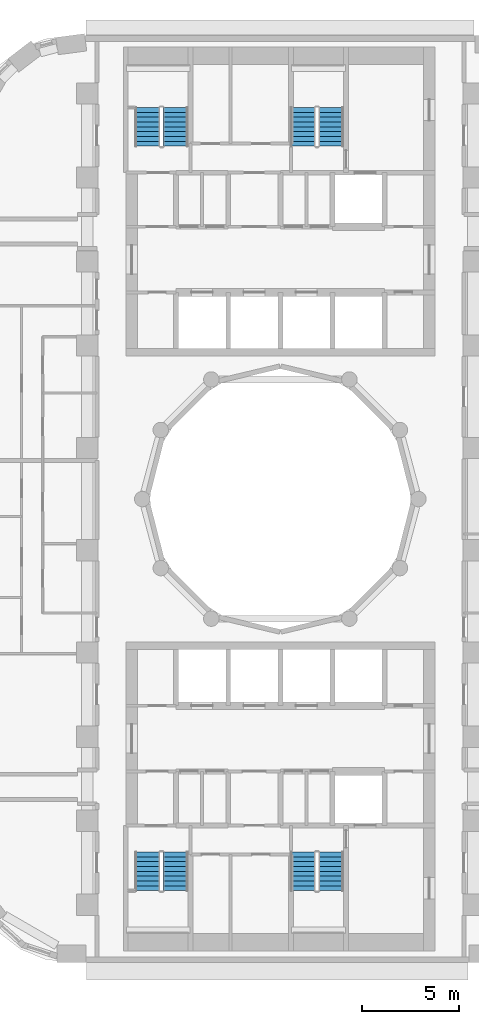
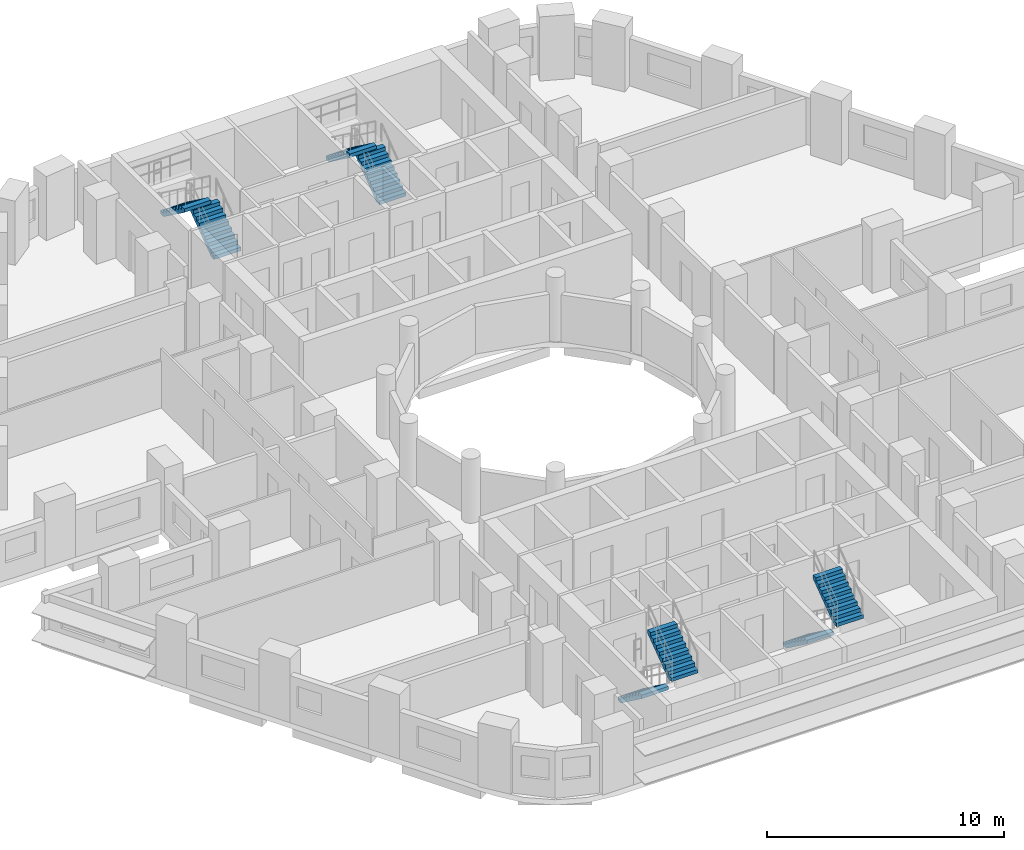
# One storey, part 9 of 12: 8 stair flights, 4 elements without a shape of their own.
"""IFC4 building model written with IfcOpenShell, lengths in metres."""

from ifc_helpers import new_model, si_unit, direction, frame, origin, place, context, subcontext, project, spatial, polyline, outline, extrude, material, type_object, element, aggregate, save


model = new_model("IFC4")

# Units and contexts
model_context = context("Model", 3, precision=1e-05, world=origin(), true_north=direction((0.0, 1.0)))
body_context = subcontext(model_context, "Body", "Model", "MODEL_VIEW")
ifc_project = project(units=[si_unit("LENGTHUNIT", "METRE"), si_unit("AREAUNIT", "SQUARE_METRE"), si_unit("VOLUMEUNIT", "CUBIC_METRE"), si_unit("PLANEANGLEUNIT", "RADIAN"), si_unit("MASSUNIT", "GRAM", prefix="KILO")], contexts=[model_context])

# Site, building, storey
site_placement = place(None, origin())
site = spatial("IfcSite", under=ifc_project, at=site_placement, CompositionType="ELEMENT")
building_placement = place(site_placement, origin())
building = spatial("IfcBuilding", under=site, at=building_placement, Name="Nakaniwa Court", CompositionType="ELEMENT")
storey_placement = place(building_placement, frame((0.0, 0.0, 57.89990234375)))
storey = spatial("IfcBuildingStorey", under=building, at=storey_placement, Name="L15", CompositionType="ELEMENT", Elevation=57.89990234375)

# Stair, stair flights
ifc_material = material(Name="Concrete C80/100", Category="concrete")
stair_type = type_object("IfcStairType", Name="Dog leg stair 1300 wide 18 risers", PredefinedType="HALF_TURN_STAIR", material=ifc_material)
stair_1_placement = place(storey_placement, origin())
stair_1 = element("IfcStair", 1, at=stair_1_placement, inside=storey, type_object=stair_type, Name="L15 Stair ST1", PredefinedType="HALF_TURN_STAIR")
stair_flight_type = type_object("IfcStairFlightType", Name="Stair flight 1300 wide 9 risers", PredefinedType="STRAIGHT", material=ifc_material)
stair_flight_1_placement = place(storey_placement, frame((74.574951171875, 98.27490234375, 0.0), z_axis=(0.0, 0.0, 1.0), x_axis=(0.0, 1.0, 0.0)))
stair_flight_1 = element("IfcStairFlight", 2, at=stair_flight_1_placement, type_object=stair_flight_type, Name="ST1 flight 1", NumberOfRisers=9, NumberOfTreads=8, PredefinedType="STRAIGHT", RiserHeight=0.183333333, TreadLength=0.25, context=body_context, shape_type="SweptSolid", body=[
    extrude(outline(polyline([(0.0, 0.0), (0.0, 0.026123046875), (0.0, 0.052490234375), (0.0, 0.07861328125), (0.0, 0.104736328125), (0.0, 0.130859375), (0.0, 0.1572265625), (0.0, 0.183349609375), (0.25, 0.183349609375), (0.25, 0.36669921875), (0.5, 0.36669921875), (0.5, 0.550048828125), (0.75, 0.550048828125), (0.75, 0.7333984375), (1.0, 0.7333984375), (1.0, 0.916748046875), (1.25, 0.916748046875), (1.25, 1.10009765625), (1.5, 1.10009765625), (1.5, 1.283447265625), (1.75, 1.283447265625), (1.75, 1.466552734375), (2.0, 1.466552734375), (2.0, 1.64990234375), (2.0, 1.59716796875), (2.0, 1.54443359375), (2.0, 1.49169921875), (2.0, 1.43896484375), (2.0, 1.38623046875), (2.0, 1.33349609375), (2.0, 1.28076171875), (0.25341796875, 0.0), (0.0, 0.0)])), frame((0.0, 0.64990234375, 0.0), z_axis=(0.0, -1.0, 0.0), x_axis=(1.0, 0.0, 0.0)), (0.0, 0.0, 1.0), 1.300048828125),
])
stair_flight_2_placement = place(storey_placement, frame((73.125, 100.27490234375, 1.650146484375), z_axis=(0.0, 0.0, 1.0), x_axis=(0.0, -1.0, 0.0)))
stair_flight_2 = element("IfcStairFlight", 3, at=stair_flight_2_placement, type_object=stair_flight_type, Name="ST1 flight 2", NumberOfRisers=9, NumberOfTreads=8, PredefinedType="STRAIGHT", RiserHeight=0.183333333, TreadLength=0.25, context=body_context, shape_type="SweptSolid", body=[
    extrude(outline(polyline([(0.0, 0.0), (0.0, 0.026123046875), (0.0, 0.052490234375), (0.0, 0.07861328125), (0.0, 0.104736328125), (0.0, 0.130859375), (0.0, 0.1572265625), (0.0, 0.183349609375), (0.25, 0.183349609375), (0.25, 0.36669921875), (0.5, 0.36669921875), (0.5, 0.550048828125), (0.75, 0.550048828125), (0.75, 0.7333984375), (1.0, 0.7333984375), (1.0, 0.916748046875), (1.25, 0.916748046875), (1.25, 1.10009765625), (1.5, 1.10009765625), (1.5, 1.283447265625), (1.75, 1.283447265625), (1.75, 1.466552734375), (2.0, 1.466552734375), (2.0, 1.64990234375), (2.0, 1.59716796875), (2.0, 1.54443359375), (2.0, 1.49169921875), (2.0, 1.43896484375), (2.0, 1.38623046875), (2.0, 1.33349609375), (2.0, 1.28076171875), (0.25341796875, 0.0), (0.0, 0.0)])), frame((0.0, 0.64990234375, 0.0), z_axis=(0.0, -1.0, 0.0), x_axis=(1.0, 0.0, 0.0)), (0.0, 0.0, 1.0), 1.300048828125),
])
aggregate(stair_1, [stair_flight_1, stair_flight_2])

stair_2_placement = place(storey_placement, origin())
stair_2 = element("IfcStair", 4, at=stair_2_placement, inside=storey, type_object=stair_type, Name="L15 Stair ST2", PredefinedType="HALF_TURN_STAIR")
stair_flight_3_placement = place(storey_placement, frame((82.625, 98.27490234375, 0.0), z_axis=(0.0, 0.0, 1.0), x_axis=(0.0, 1.0, 0.0)))
stair_flight_3 = element("IfcStairFlight", 5, at=stair_flight_3_placement, type_object=stair_flight_type, Name="ST2 flight 1", NumberOfRisers=9, NumberOfTreads=8, PredefinedType="STRAIGHT", RiserHeight=0.183333333, TreadLength=0.25, context=body_context, shape_type="SweptSolid", body=[
    extrude(outline(polyline([(0.0, 0.0), (0.0, 0.026123046875), (0.0, 0.052490234375), (0.0, 0.07861328125), (0.0, 0.104736328125), (0.0, 0.130859375), (0.0, 0.1572265625), (0.0, 0.183349609375), (0.25, 0.183349609375), (0.25, 0.36669921875), (0.5, 0.36669921875), (0.5, 0.550048828125), (0.75, 0.550048828125), (0.75, 0.7333984375), (1.0, 0.7333984375), (1.0, 0.916748046875), (1.25, 0.916748046875), (1.25, 1.10009765625), (1.5, 1.10009765625), (1.5, 1.283447265625), (1.75, 1.283447265625), (1.75, 1.466552734375), (2.0, 1.466552734375), (2.0, 1.64990234375), (2.0, 1.59716796875), (2.0, 1.54443359375), (2.0, 1.49169921875), (2.0, 1.43896484375), (2.0, 1.38623046875), (2.0, 1.33349609375), (2.0, 1.28076171875), (0.25341796875, 0.0), (0.0, 0.0)])), frame((0.0, 0.64990234375, 0.0), z_axis=(0.0, -1.0, 0.0), x_axis=(1.0, 0.0, 0.0)), (0.0, 0.0, 1.0), 1.300048828125),
])
stair_flight_4_placement = place(storey_placement, frame((81.175048828125, 100.27490234375, 1.650146484375), z_axis=(0.0, 0.0, 1.0), x_axis=(0.0, -1.0, 0.0)))
stair_flight_4 = element("IfcStairFlight", 6, at=stair_flight_4_placement, type_object=stair_flight_type, Name="ST2 flight 2", NumberOfRisers=9, NumberOfTreads=8, PredefinedType="STRAIGHT", RiserHeight=0.183333333, TreadLength=0.25, context=body_context, shape_type="SweptSolid", body=[
    extrude(outline(polyline([(0.0, 0.0), (0.0, 0.026123046875), (0.0, 0.052490234375), (0.0, 0.07861328125), (0.0, 0.104736328125), (0.0, 0.130859375), (0.0, 0.1572265625), (0.0, 0.183349609375), (0.25, 0.183349609375), (0.25, 0.36669921875), (0.5, 0.36669921875), (0.5, 0.550048828125), (0.75, 0.550048828125), (0.75, 0.7333984375), (1.0, 0.7333984375), (1.0, 0.916748046875), (1.25, 0.916748046875), (1.25, 1.10009765625), (1.5, 1.10009765625), (1.5, 1.283447265625), (1.75, 1.283447265625), (1.75, 1.466552734375), (2.0, 1.466552734375), (2.0, 1.64990234375), (2.0, 1.59716796875), (2.0, 1.54443359375), (2.0, 1.49169921875), (2.0, 1.43896484375), (2.0, 1.38623046875), (2.0, 1.33349609375), (2.0, 1.28076171875), (0.25341796875, 0.0), (0.0, 0.0)])), frame((0.0, 0.64990234375, 0.0), z_axis=(0.0, -1.0, 0.0), x_axis=(1.0, 0.0, 0.0)), (0.0, 0.0, 1.0), 1.300048828125),
])
aggregate(stair_2, [stair_flight_3, stair_flight_4])

stair_3_placement = place(storey_placement, origin())
stair_3 = element("IfcStair", 7, at=stair_3_placement, inside=storey, type_object=stair_type, Name="L15 Stair ST3", PredefinedType="HALF_TURN_STAIR")
stair_flight_5_placement = place(storey_placement, frame((73.125, 61.72509765625, 0.0), z_axis=(0.0, 0.0, 1.0), x_axis=(0.0, -1.0, 0.0)))
stair_flight_5 = element("IfcStairFlight", 8, at=stair_flight_5_placement, type_object=stair_flight_type, Name="ST3 flight 1", NumberOfRisers=9, NumberOfTreads=8, PredefinedType="STRAIGHT", RiserHeight=0.183333333, TreadLength=0.25, context=body_context, shape_type="SweptSolid", body=[
    extrude(outline(polyline([(0.0, 0.0), (0.0, 0.026123046875), (0.0, 0.052490234375), (0.0, 0.07861328125), (0.0, 0.104736328125), (0.0, 0.130859375), (0.0, 0.1572265625), (0.0, 0.183349609375), (0.25, 0.183349609375), (0.25, 0.36669921875), (0.5, 0.36669921875), (0.5, 0.550048828125), (0.75, 0.550048828125), (0.75, 0.7333984375), (1.0, 0.7333984375), (1.0, 0.916748046875), (1.25, 0.916748046875), (1.25, 1.10009765625), (1.5, 1.10009765625), (1.5, 1.283447265625), (1.75, 1.283447265625), (1.75, 1.466552734375), (2.0, 1.466552734375), (2.0, 1.64990234375), (2.0, 1.59716796875), (2.0, 1.54443359375), (2.0, 1.49169921875), (2.0, 1.43896484375), (2.0, 1.38623046875), (2.0, 1.33349609375), (2.0, 1.28076171875), (0.25341796875, 0.0), (0.0, 0.0)])), frame((0.0, 0.64990234375, 0.0), z_axis=(0.0, -1.0, 0.0), x_axis=(1.0, 0.0, 0.0)), (0.0, 0.0, 1.0), 1.300048828125),
])
stair_flight_6_placement = place(storey_placement, frame((74.574951171875, 59.72509765625, 1.650146484375), z_axis=(0.0, 0.0, 1.0), x_axis=(0.0, 1.0, 0.0)))
stair_flight_6 = element("IfcStairFlight", 9, at=stair_flight_6_placement, type_object=stair_flight_type, Name="ST3 flight 2", NumberOfRisers=9, NumberOfTreads=8, PredefinedType="STRAIGHT", RiserHeight=0.183333333, TreadLength=0.25, context=body_context, shape_type="SweptSolid", body=[
    extrude(outline(polyline([(0.0, 0.0), (0.0, 0.026123046875), (0.0, 0.052490234375), (0.0, 0.07861328125), (0.0, 0.104736328125), (0.0, 0.130859375), (0.0, 0.1572265625), (0.0, 0.183349609375), (0.25, 0.183349609375), (0.25, 0.36669921875), (0.5, 0.36669921875), (0.5, 0.550048828125), (0.75, 0.550048828125), (0.75, 0.7333984375), (1.0, 0.7333984375), (1.0, 0.916748046875), (1.25, 0.916748046875), (1.25, 1.10009765625), (1.5, 1.10009765625), (1.5, 1.283447265625), (1.75, 1.283447265625), (1.75, 1.466552734375), (2.0, 1.466552734375), (2.0, 1.64990234375), (2.0, 1.59716796875), (2.0, 1.54443359375), (2.0, 1.49169921875), (2.0, 1.43896484375), (2.0, 1.38623046875), (2.0, 1.33349609375), (2.0, 1.28076171875), (0.25341796875, 0.0), (0.0, 0.0)])), frame((0.0, 0.64990234375, 0.0), z_axis=(0.0, -1.0, 0.0), x_axis=(1.0, 0.0, 0.0)), (0.0, 0.0, 1.0), 1.300048828125),
])
aggregate(stair_3, [stair_flight_5, stair_flight_6])

stair_4_placement = place(storey_placement, origin())
stair_4 = element("IfcStair", 10, at=stair_4_placement, inside=storey, type_object=stair_type, Name="L15 Stair ST4", PredefinedType="HALF_TURN_STAIR")
stair_flight_7_placement = place(storey_placement, frame((81.175048828125, 61.72509765625, 0.0), z_axis=(0.0, 0.0, 1.0), x_axis=(0.0, -1.0, 0.0)))
stair_flight_7 = element("IfcStairFlight", 11, at=stair_flight_7_placement, type_object=stair_flight_type, Name="ST4 flight 1", NumberOfRisers=9, NumberOfTreads=8, PredefinedType="STRAIGHT", RiserHeight=0.183333333, TreadLength=0.25, context=body_context, shape_type="SweptSolid", body=[
    extrude(outline(polyline([(0.0, 0.0), (0.0, 0.026123046875), (0.0, 0.052490234375), (0.0, 0.07861328125), (0.0, 0.104736328125), (0.0, 0.130859375), (0.0, 0.1572265625), (0.0, 0.183349609375), (0.25, 0.183349609375), (0.25, 0.36669921875), (0.5, 0.36669921875), (0.5, 0.550048828125), (0.75, 0.550048828125), (0.75, 0.7333984375), (1.0, 0.7333984375), (1.0, 0.916748046875), (1.25, 0.916748046875), (1.25, 1.10009765625), (1.5, 1.10009765625), (1.5, 1.283447265625), (1.75, 1.283447265625), (1.75, 1.466552734375), (2.0, 1.466552734375), (2.0, 1.64990234375), (2.0, 1.59716796875), (2.0, 1.54443359375), (2.0, 1.49169921875), (2.0, 1.43896484375), (2.0, 1.38623046875), (2.0, 1.33349609375), (2.0, 1.28076171875), (0.25341796875, 0.0), (0.0, 0.0)])), frame((0.0, 0.64990234375, 0.0), z_axis=(0.0, -1.0, 0.0), x_axis=(1.0, 0.0, 0.0)), (0.0, 0.0, 1.0), 1.300048828125),
])
stair_flight_8_placement = place(storey_placement, frame((82.625, 59.72509765625, 1.650146484375), z_axis=(0.0, 0.0, 1.0), x_axis=(0.0, 1.0, 0.0)))
stair_flight_8 = element("IfcStairFlight", 12, at=stair_flight_8_placement, type_object=stair_flight_type, Name="ST4 flight 2", NumberOfRisers=9, NumberOfTreads=8, PredefinedType="STRAIGHT", RiserHeight=0.183333333, TreadLength=0.25, context=body_context, shape_type="SweptSolid", body=[
    extrude(outline(polyline([(0.0, 0.0), (0.0, 0.026123046875), (0.0, 0.052490234375), (0.0, 0.07861328125), (0.0, 0.104736328125), (0.0, 0.130859375), (0.0, 0.1572265625), (0.0, 0.183349609375), (0.25, 0.183349609375), (0.25, 0.36669921875), (0.5, 0.36669921875), (0.5, 0.550048828125), (0.75, 0.550048828125), (0.75, 0.7333984375), (1.0, 0.7333984375), (1.0, 0.916748046875), (1.25, 0.916748046875), (1.25, 1.10009765625), (1.5, 1.10009765625), (1.5, 1.283447265625), (1.75, 1.283447265625), (1.75, 1.466552734375), (2.0, 1.466552734375), (2.0, 1.64990234375), (2.0, 1.59716796875), (2.0, 1.54443359375), (2.0, 1.49169921875), (2.0, 1.43896484375), (2.0, 1.38623046875), (2.0, 1.33349609375), (2.0, 1.28076171875), (0.25341796875, 0.0), (0.0, 0.0)])), frame((0.0, 0.64990234375, 0.0), z_axis=(0.0, -1.0, 0.0), x_axis=(1.0, 0.0, 0.0)), (0.0, 0.0, 1.0), 1.300048828125),
])
aggregate(stair_4, [stair_flight_7, stair_flight_8])

save(model, "model.ifc")
